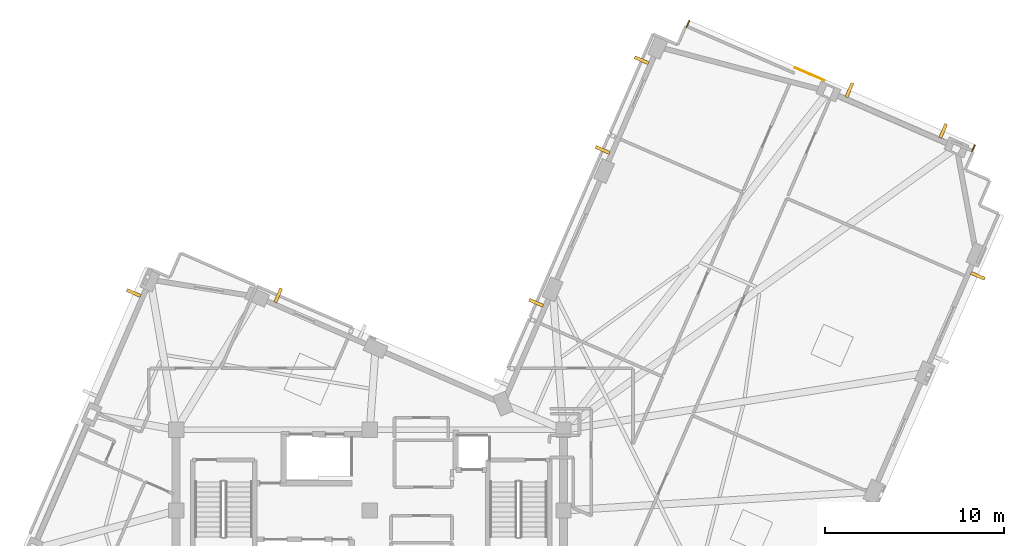
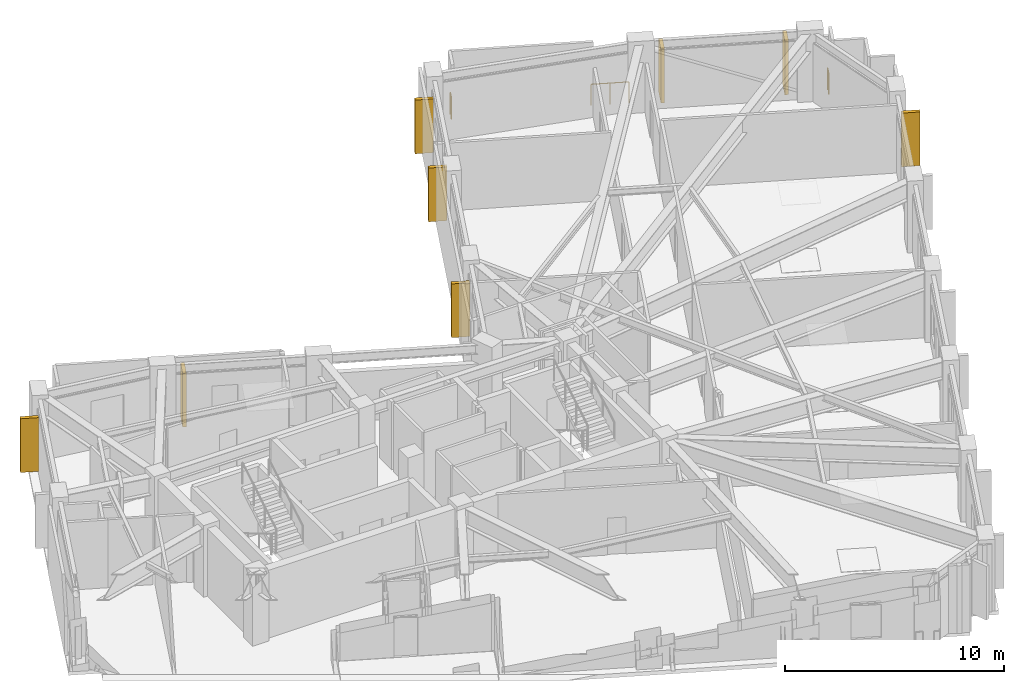
# One storey, part 12 of 12: 8 shading devices, 3 railings.
"""IFC4 building model written with IfcOpenShell, lengths in metres."""

from ifc_helpers import new_model, si_unit, direction, frame, origin, origin_2d, place, context, subcontext, project, spatial, rectangle, circle, extrude, material, layer, layer_set, type_object, element, save


model = new_model("IFC4")

# Units and contexts
model_context = context("Model", 3, precision=1e-05, world=origin(), true_north=direction((0.0, 1.0)))
body_context = subcontext(model_context, "Body", "Model", "MODEL_VIEW")
ifc_project = project(units=[si_unit("LENGTHUNIT", "METRE"), si_unit("AREAUNIT", "SQUARE_METRE"), si_unit("VOLUMEUNIT", "CUBIC_METRE"), si_unit("PLANEANGLEUNIT", "RADIAN"), si_unit("MASSUNIT", "GRAM", prefix="KILO")], contexts=[model_context])

# Site, building, storey
site_placement = place(None, origin())
site = spatial("IfcSite", under=ifc_project, at=site_placement, CompositionType="ELEMENT")
building_placement = place(site_placement, origin())
building = spatial("IfcBuilding", under=site, at=building_placement, Name="Gaonmaruhae Medical Tower", CompositionType="ELEMENT")
storey_placement = place(building_placement, frame((0.0, 0.0, 316.60009765625)))
storey = spatial("IfcBuildingStorey", under=building, at=storey_placement, Name="L76", CompositionType="ELEMENT", Elevation=316.60009765625)

# Railings
ifc_material_1 = material(Name="Stainless steel 316L and laminated safety glass", Category="steel")
ifc_layer = layer(ifc_material_1, 0.080078125)
ifc_layer_set = layer_set([ifc_layer], Name="Stainless steel 316L and laminated safety glass")
railing_type = type_object("IfcRailingType", Name="GD-120 Outdoor Terrace Safety Glass & Steel Balustrade", PredefinedType="BALUSTRADE", material=ifc_layer_set)
railing_1_placement = place(storey_placement, frame((42.467041015625, 39.249267578125, 0.0)))
element("IfcRailing", 1, at=railing_1_placement, inside=storey, type_object=railing_type, Name="L76 Perimeter Slab Edge Safety Balustrade 04", PredefinedType="BALUSTRADE", context=body_context, shape_type="SweptSolid", body=[
    extrude(circle(Radius=0.02392578125, at=origin_2d()), frame((0.0, 0.0, 1.17578125), z_axis=(0.398408401045, 0.917208125769, 0.0), x_axis=(-0.917208125769, 0.398408401045, 0.0)), (0.0, 0.0, 1.0), 0.393310546875),
    extrude(circle(Radius=0.02099609375, at=origin_2d()), origin(), (0.0, 0.0, 1.0), 1.15185546875),
    extrude(circle(Radius=0.02099609375, at=origin_2d()), frame((0.15673828125, 0.36083984375, 0.0)), (0.0, 0.0, 1.0), 1.15185546875),
])
railing_2_placement = place(storey_placement, frame((48.525634765625, 36.989501953125, 0.0)))
element("IfcRailing", 2, at=railing_2_placement, inside=storey, type_object=railing_type, Name="L76 Perimeter Slab Edge Safety Balustrade 05", PredefinedType="BALUSTRADE", context=body_context, shape_type="SweptSolid", body=[
    extrude(circle(Radius=0.02392578125, at=origin_2d()), frame((0.0, 0.0, 1.17578125), z_axis=(0.917074449051, -0.398716007828, 0.0), x_axis=(0.398716007828, 0.917074449051, 0.0)), (0.0, 0.0, 1.0), 1.76708984375),
    extrude(circle(Radius=0.02099609375, at=origin_2d()), origin(), (0.0, 0.0, 1.0), 1.15185546875),
    extrude(circle(Radius=0.02099609375, at=origin_2d()), frame((0.810302734375, -0.352294921875, 0.0)), (0.0, 0.0, 1.0), 1.15185546875),
    extrude(circle(Radius=0.02099609375, at=origin_2d()), frame((1.62060546875, -0.70458984375, 0.0)), (0.0, 0.0, 1.0), 1.15185546875),
])
railing_3_placement = place(storey_placement, frame((58.544189453125, 32.687744140625, 0.0)))
element("IfcRailing", 3, at=railing_3_placement, inside=storey, type_object=railing_type, Name="L76 Perimeter Slab Edge Safety Balustrade 06", PredefinedType="BALUSTRADE", context=body_context, shape_type="SweptSolid", body=[
    extrude(circle(Radius=0.02392578125, at=origin_2d()), frame((0.0, 0.0, 1.17578125), z_axis=(-0.399157351922, -0.916882439796, 0.0), x_axis=(0.916882439796, -0.399157351922, 0.0)), (0.0, 0.0, 1.0), 0.393310546875),
    extrude(circle(Radius=0.02099609375, at=origin_2d()), origin(), (0.0, 0.0, 1.0), 1.15185546875),
    extrude(circle(Radius=0.02099609375, at=origin_2d()), frame((-0.156982421875, -0.360595703125, 0.0)), (0.0, 0.0, 1.0), 1.15185546875),
])

# Shading devices
ifc_material_2 = material(Name="Pigmented coral precast concrete C45/55", Category="concrete")
shading_device_type = type_object("IfcShadingDeviceType", Name="SD-FIN1 Tower Vertical Coral Precast Shading Fin", PredefinedType="USERDEFINED", material=ifc_material_2)
for number, where, z_axis, x_axis, name in (
    (4, (58.712158203125, 25.3876953125, 0.13232421875), (0.0, 0.0, 1.0), (-0.398749068925, -0.917060074385, 0.0), "L76 Vertical Coral Precast Shading Fin S05"),
    (5, (51.55078125, 35.7451171875, 0.13232421875), (0.0, 0.0, 1.0), (0.917060074385, -0.398749068925, 0.0), "L76 Vertical Coral Precast Shading Fin E01"),
    (6, (56.782470703125, 33.47021484375, 0.13232421875), (0.0, 0.0, 1.0), (0.917060074385, -0.398749068925, 0.0), "L76 Vertical Coral Precast Shading Fin E01B"),
    (7, (37.786376953125, 32.4091796875, 0.13232421875), (0.0, 0.0, 1.0), (0.398765074582, 0.917053114761, 0.0), "L76 Vertical Coral Precast Shading Fin E03"),
    (8, (39.961669921875, 37.411865234375, 0.13232421875), (0.0, 0.0, 1.0), (0.398765074582, 0.917053114761, 0.0), "L76 Vertical Coral Precast Shading Fin E03B"),
    (9, (34.080078125, 23.885009765625, 0.13232421875), (0.0, 0.0, 1.0), (0.398749068925, 0.917060074385, 0.0), "L76 Vertical Coral Precast Shading Fin EN02B"),
    (10, (19.694091796875, 24.29833984375, 0.13232421875), (0.0, 0.0, 1.0), (0.917060074385, -0.398749068925, 0.0), "L76 Vertical Coral Precast Shading Fin NE01"),
    (11, (11.6357421875, 24.429931640625, 0.13232421875), (0.0, 0.0, 1.0), (0.398749068925, 0.917060074385, 0.0), "L76 Vertical Coral Precast Shading Fin N01B"),
):
    element("IfcShadingDevice", number, at=place(storey_placement, frame(where, z_axis=z_axis, x_axis=x_axis)), inside=storey, type_object=shading_device_type, Name=name, ObjectType="FIN", PredefinedType="USERDEFINED", context=body_context, shape_type="SweptSolid", body=[
        extrude(rectangle(XDim=0.179931640625, YDim=0.85009765625, at=origin_2d()), origin(), (0.0, 0.0, 1.0), 3.0),
    ])

save(model, "model.ifc")
